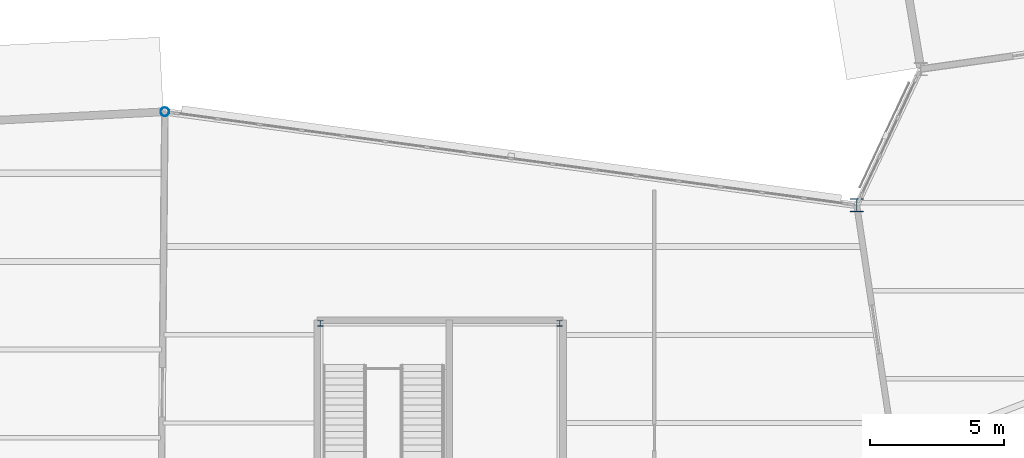
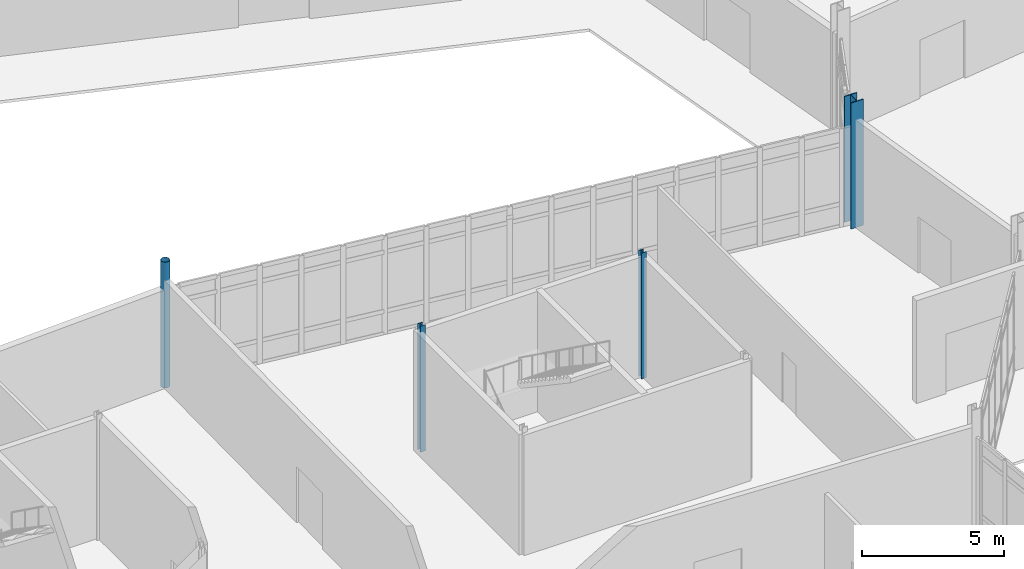
# One storey, part 7 of 113: 4 columns.
"""IFC4 building model written with IfcOpenShell, lengths in metres."""

from ifc_helpers import new_model, si_unit, direction, frame, origin, origin_2d, place, context, subcontext, project, spatial, hollow_circle, i_section, extrude, material, material_profile, profile_set, type_object, element, save


model = new_model("IFC4")

# Units and contexts
model_context = context("Model", 3, precision=1e-05, world=origin(), true_north=direction((0.0, 1.0)))
body_context = subcontext(model_context, "Body", "Model", "MODEL_VIEW")
ifc_project = project(units=[si_unit("LENGTHUNIT", "METRE"), si_unit("AREAUNIT", "SQUARE_METRE"), si_unit("VOLUMEUNIT", "CUBIC_METRE"), si_unit("PLANEANGLEUNIT", "RADIAN"), si_unit("MASSUNIT", "GRAM", prefix="KILO")], contexts=[model_context])

# Site, building, storey
site_placement = place(None, origin())
site = spatial("IfcSite", under=ifc_project, at=site_placement, CompositionType="ELEMENT")
building_placement = place(site_placement, origin())
building = spatial("IfcBuilding", under=site, at=building_placement, Name="Tameran Prism Museum", CompositionType="ELEMENT")
storey_placement = place(building_placement, origin())
storey = spatial("IfcBuildingStorey", under=building, at=storey_placement, Name="L00", CompositionType="ELEMENT", Elevation=0.0)

# Columns
ifc_material_1 = material(Name="Steel Grade C350L0 (350 MPa)", Category="steel")
ifc_material_profile_1 = material_profile(ifc_material_1, hollow_circle(Radius=0.161865234375, WallThickness=0.010009765625, at=origin_2d()))
ifc_profile_set_1 = profile_set([ifc_material_profile_1])
column_type_1 = type_object("IfcColumnType", Name="COL-CHS324", PredefinedType="COLUMN", material=ifc_profile_set_1)
column_1_placement = place(storey_placement, frame((23.699951171875, 43.0, 0.0), z_axis=(0.0, 0.0, 1.0), x_axis=(1.0, 0.0, 0.0)))
element("IfcColumn", 1, at=column_1_placement, inside=storey, type_object=column_type_1, Name="Column CV-15 L00", PredefinedType="COLUMN", context=body_context, shape_type="SweptSolid", body=[
    extrude(hollow_circle(Radius=0.161865234375, WallThickness=0.010009765625, at=origin_2d()), origin(), (0.0, 0.0, 1.0), 5.39990234375),
])
ifc_material_2 = material(Name="Steel Grade 300PLUS (300 MPa)", Category="steel")
ifc_material_profile_2 = material_profile(ifc_material_2, i_section(OverallWidth=0.205078125, OverallDepth=0.2099609375, WebThickness=0.00927734375, FlangeThickness=0.01416015625, FilletRadius=0.01025390625, at=origin_2d()))
ifc_profile_set_2 = profile_set([ifc_material_profile_2])
column_type_2 = type_object("IfcColumnType", Name="COL-UC200", PredefinedType="COLUMN", material=ifc_profile_set_2)
for number, where, z_axis, x_axis, name in (
    (2, (38.47998046875, 35.080078125, 0.0), (0.0, 0.0, 1.0), (1.0, 0.0, 0.0), "Column CC-12-3 L00"),
    (3, (29.52001953125, 35.080078125, 0.0), (0.0, 0.0, 1.0), (1.0, 0.0, 0.0), "Column CC-12-4 L00"),
):
    element("IfcColumn", number, at=place(storey_placement, frame(where, z_axis=z_axis, x_axis=x_axis)), inside=storey, type_object=column_type_2, Name=name, PredefinedType="COLUMN", context=body_context, shape_type="SweptSolid", body=[
        extrude(i_section(OverallWidth=0.205078125, OverallDepth=0.2099609375, WebThickness=0.00927734375, FlangeThickness=0.01416015625, FilletRadius=0.01025390625, at=origin_2d()), origin(), (0.0, 0.0, 1.0), 5.39990234375),
    ])
ifc_material_3 = material(Name="Steel Grade 350 (350 MPa)", Category="steel")
ifc_material_profile_3 = material_profile(ifc_material_3, i_section(OverallWidth=0.5, OverallDepth=0.5, WebThickness=0.02197265625, FlangeThickness=0.035888671875, at=origin_2d()))
ifc_profile_set_3 = profile_set([ifc_material_profile_3])
column_type_3 = type_object("IfcColumnType", Name="COL-WC500", PredefinedType="COLUMN", material=ifc_profile_set_3)
column_2_placement = place(storey_placement, frame((49.60009765625, 39.5, 0.0), z_axis=(0.0, 0.0, 1.0), x_axis=(1.0, 0.0, 0.0)))
element("IfcColumn", 4, at=column_2_placement, inside=storey, type_object=column_type_3, Name="Column CV-25 L00", PredefinedType="COLUMN", context=body_context, shape_type="SweptSolid", body=[
    extrude(i_section(OverallWidth=0.5, OverallDepth=0.5, WebThickness=0.02197265625, FlangeThickness=0.035888671875, at=origin_2d()), origin(), (0.0, 0.0, 1.0), 5.39990234375),
])

save(model, "model.ifc")
